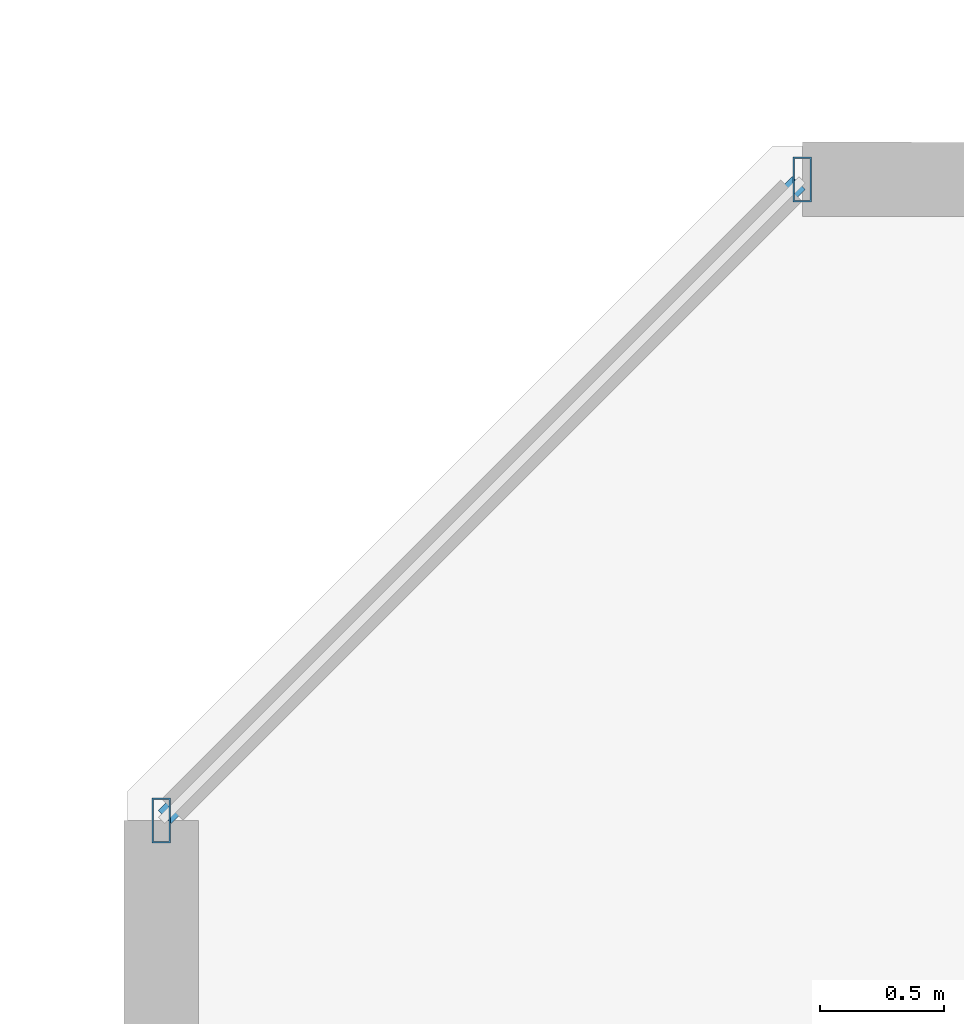
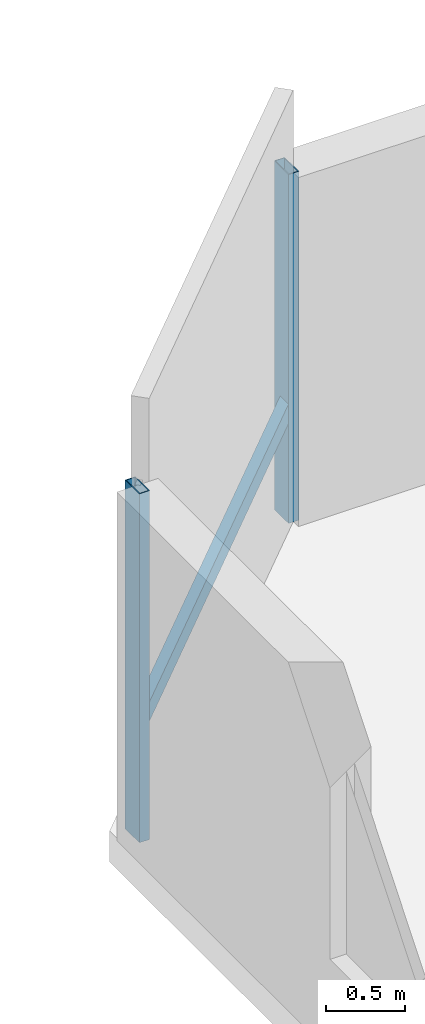
# One storey, part 15 of 33: 3 members, 1 element without a shape of its own.
"""IFC4 building model written with IfcOpenShell, lengths in metres."""

from ifc_helpers import new_model, si_unit, direction, frame, origin, origin_2d, place, context, subcontext, project, spatial, hollow_rectangle, extrude, material, material_profile, profile_set, type_object, element, aggregate, save


model = new_model("IFC4")

# Units and contexts
model_context = context("Model", 3, precision=1e-05, world=origin(), true_north=direction((0.0, 1.0)))
body_context = subcontext(model_context, "Body", "Model", "MODEL_VIEW")
ifc_project = project(units=[si_unit("LENGTHUNIT", "METRE"), si_unit("AREAUNIT", "SQUARE_METRE"), si_unit("VOLUMEUNIT", "CUBIC_METRE"), si_unit("PLANEANGLEUNIT", "RADIAN"), si_unit("MASSUNIT", "GRAM", prefix="KILO")], contexts=[model_context])

# Site, building, storey
site_placement = place(None, origin())
site = spatial("IfcSite", under=ifc_project, at=site_placement, CompositionType="ELEMENT")
building_placement = place(site_placement, origin())
building = spatial("IfcBuilding", under=site, at=building_placement, Name="Thornwick Lancets Civic Towers", CompositionType="ELEMENT")
storey_placement = place(building_placement, frame((0.0, 0.0, 207.300048828125)))
storey = spatial("IfcBuildingStorey", under=building, at=storey_placement, Name="L55", CompositionType="ELEMENT", Elevation=207.300048828125)

# Curtain wall, members
ifc_material_1 = material(Name="High-zone chamfered-corner unitised glass curtain wall", Category="glass")
curtain_wall_type = type_object("IfcCurtainWallType", Name="CW_SYS_05", PredefinedType="NOTDEFINED", material=ifc_material_1)
curtain_wall_placement = place(storey_placement, origin())
curtain_wall = element("IfcCurtainWall", 1, at=curtain_wall_placement, inside=storey, type_object=curtain_wall_type, Name="L55 Curtain Wall CW-L55-B-E5", PredefinedType="NOTDEFINED")
ifc_material_2 = material(Name="Thermally broken bronze aluminium S355", Category="steel")
ifc_material_profile_1 = material_profile(ifc_material_2, hollow_rectangle(XDim=0.074951171875, YDim=0.179931640625, WallThickness=0.006103515625, at=origin_2d()), Name="RHS 180x75x6")
ifc_profile_set_1 = profile_set([ifc_material_profile_1], Name="Thermally broken bronze aluminium S355")
member_type_1 = type_object("IfcMemberType", Name="CW_MUL_180", PredefinedType="MULLION", material=ifc_profile_set_1)
member_1_placement = place(storey_placement, frame((67.318603515625, 44.7646484375, 0.0), z_axis=(0.0, 0.0, 1.0), x_axis=(1.0, 0.0, 0.0)))
member_1 = element("IfcMember", 2, at=member_1_placement, type_object=member_type_1, Name="CW-L55-B-E5 Mullion 0", PredefinedType="MULLION", context=body_context, shape_type="SweptSolid", body=[
    extrude(hollow_rectangle(XDim=0.074951171875, YDim=0.179931640625, WallThickness=0.006103515625, at=origin_2d()), origin(), (0.0, 0.0, 1.0), 2.699951171875),
])
member_2_placement = place(storey_placement, frame((64.7353515625, 42.181396484375, 0.0), z_axis=(0.0, 0.0, 1.0), x_axis=(1.0, 0.0, 0.0)))
member_2 = element("IfcMember", 3, at=member_2_placement, type_object=member_type_1, Name="CW-L55-B-E5 Mullion 1", PredefinedType="MULLION", context=body_context, shape_type="SweptSolid", body=[
    extrude(hollow_rectangle(XDim=0.074951171875, YDim=0.179931640625, WallThickness=0.006103515625, at=origin_2d()), origin(), (0.0, 0.0, 1.0), 2.699951171875),
])
ifc_material_profile_2 = material_profile(ifc_material_2, hollow_rectangle(XDim=0.074951171875, YDim=0.14990234375, WallThickness=0.0048828125, at=origin_2d()), Name="RHS 150x75x5")
ifc_profile_set_2 = profile_set([ifc_material_profile_2], Name="Thermally broken bronze aluminium S355")
member_type_2 = type_object("IfcMemberType", Name="CW_TRN_150", PredefinedType="USERDEFINED", material=ifc_profile_set_2)
member_3_placement = place(storey_placement, frame((67.304443359375, 44.75048828125, 0.849853515625), z_axis=(-0.707106781187, -0.707106781187, 0.0), x_axis=(0.707106781187, -0.707106781187, 0.0)))
member_3 = element("IfcMember", 4, at=member_3_placement, type_object=member_type_2, Name="CW-L55-B-E5 Transom 0", ObjectType="TRANSOM", PredefinedType="USERDEFINED", context=body_context, shape_type="SweptSolid", body=[
    extrude(hollow_rectangle(XDim=0.074951171875, YDim=0.14990234375, WallThickness=0.0048828125, at=origin_2d()), origin(), (0.0, 0.0, 1.0), 3.61328125),
])
aggregate(curtain_wall, [member_1, member_2, member_3])

save(model, "model.ifc")
